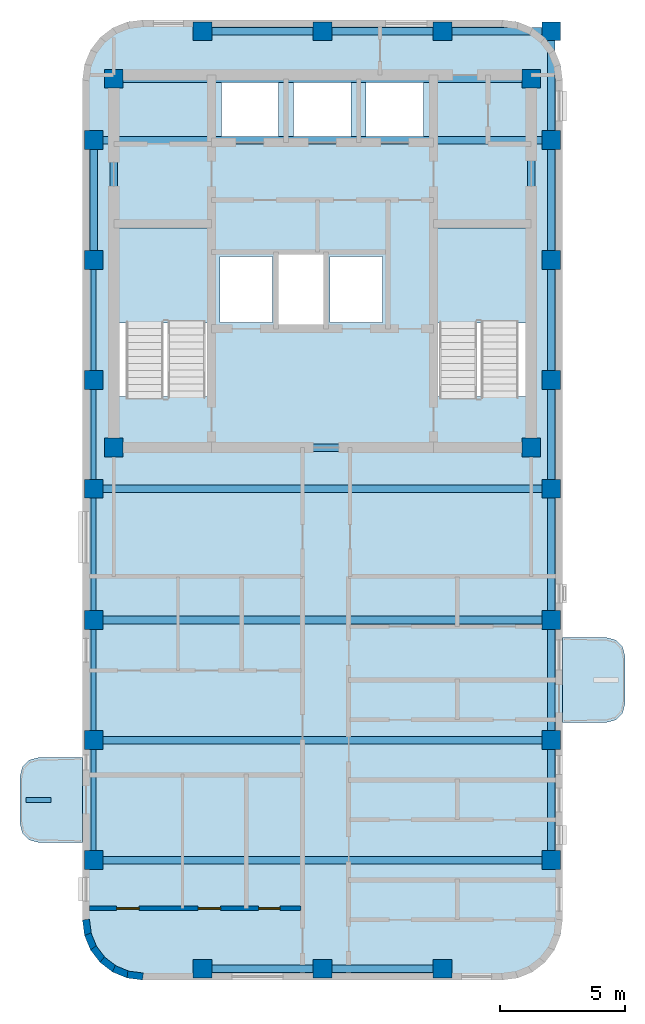
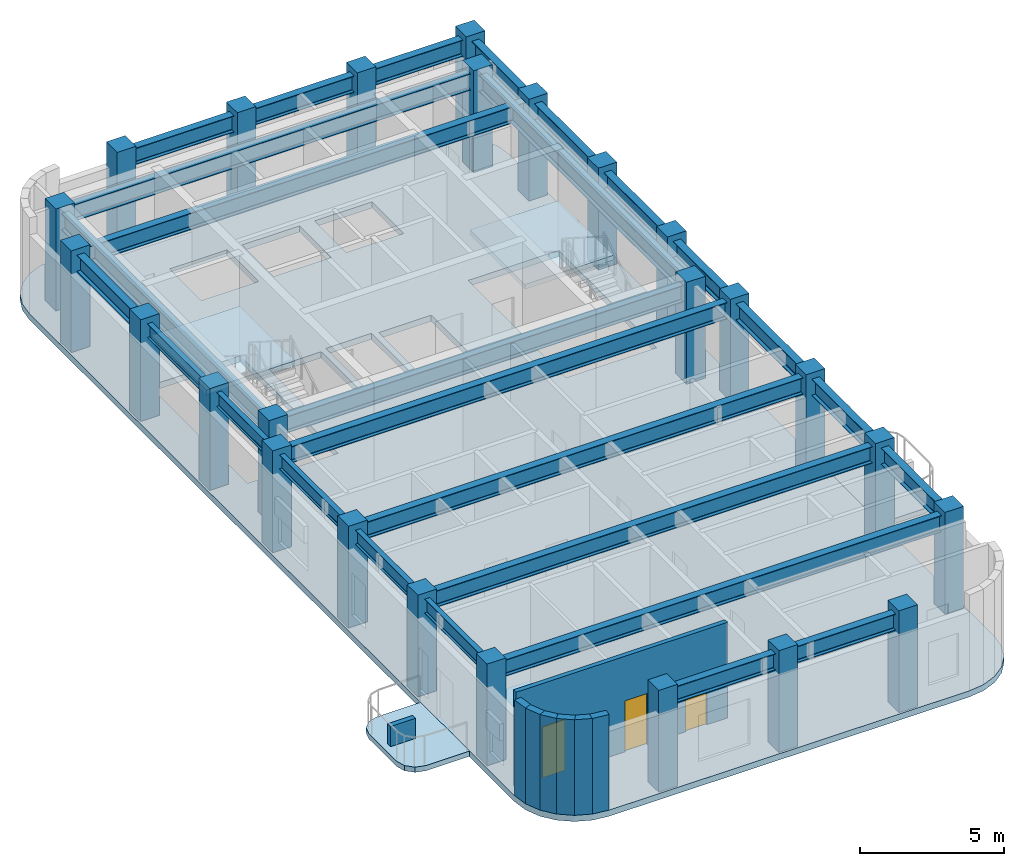
# One storey, part 1 of 7: 27 beams, 25 columns, 8 walls, 5 slabs, 3 doors, 3 openings, 2 elements without a shape of their own.
"""IFC4 building model written with IfcOpenShell, lengths in metres."""

from ifc_helpers import new_model, si_unit, direction, frame, frame_2d, origin, origin_2d, place, context, subcontext, project, spatial, polyline, rectangle, i_section, outline, extrude, material, layer, layer_set, material_profile, profile_set, type_object, element, fill, aggregate, save


model = new_model("IFC4")

# Units and contexts
model_context = context("Model", 3, precision=1e-05, world=origin(), true_north=direction((0.0, 1.0)))
body_context = subcontext(model_context, "Body", "Model", "MODEL_VIEW")
ifc_project = project(units=[si_unit("LENGTHUNIT", "METRE"), si_unit("AREAUNIT", "SQUARE_METRE"), si_unit("VOLUMEUNIT", "CUBIC_METRE"), si_unit("PLANEANGLEUNIT", "RADIAN"), si_unit("MASSUNIT", "GRAM", prefix="KILO")], contexts=[model_context])

# Site, building, storey
site_placement = place(None, origin())
site = spatial("IfcSite", under=ifc_project, at=site_placement, CompositionType="ELEMENT")
building_placement = place(site_placement, origin())
building = spatial("IfcBuilding", under=site, at=building_placement, Name="Orvandelia Arch Residences", CompositionType="ELEMENT")
storey_placement = place(building_placement, frame((0.0, 0.0, 257.0)))
storey = spatial("IfcBuildingStorey", under=building, at=storey_placement, Name="L67", CompositionType="ELEMENT", Elevation=257.0)

# Columns
ifc_material_1 = material(Name="Concrete C50/60", Category="concrete")
ifc_material_profile_1 = material_profile(ifc_material_1, rectangle(XDim=0.75, YDim=0.75, at=origin_2d()), Name="Concrete C50/60", Category="concrete")
ifc_profile_set_1 = profile_set([ifc_material_profile_1], Name="Concrete C50/60")
column_type = type_object("IfcColumnType", Name="COL-TWR-750", PredefinedType="COLUMN", material=ifc_profile_set_1)
for number, where, z_axis, x_axis, name in (
    (1, (5.25, 14.39990234375, 0.0), (0.0, 0.0, 1.0), (1.0, 0.0, 0.0), "Structural Column L67-W-W-144"),
    (2, (5.25, 19.199951171875, 0.0), (0.0, 0.0, 1.0), (1.0, 0.0, 0.0), "Structural Column L67-W-W-192"),
    (3, (5.25, 24.0, 0.0), (0.0, 0.0, 1.0), (1.0, 0.0, 0.0), "Structural Column L67-W-W-240"),
    (4, (5.25, 29.25, 0.0), (0.0, 0.0, 1.0), (1.0, 0.0, 0.0), "Structural Column L67-W-W-292"),
    (5, (5.25, 33.60009765625, 0.0), (0.0, 0.0, 1.0), (1.0, 0.0, 0.0), "Structural Column L67-W-W-336"),
    (6, (5.25, 38.39990234375, 0.0), (0.0, 0.0, 1.0), (1.0, 0.0, 0.0), "Structural Column L67-W-W-384"),
    (7, (5.25, 43.199951171875, 0.0), (0.0, 0.0, 1.0), (1.0, 0.0, 0.0), "Structural Column L67-W-W-432"),
    (8, (6.050048828125, 30.89990234375, 0.0), (0.0, 0.0, 1.0), (1.0, 0.0, 0.0), "Structural Column L67-CR-SW"),
    (9, (6.050048828125, 45.64990234375, 0.0), (0.0, 0.0, 1.0), (1.0, 0.0, 0.0), "Structural Column L67-CR-NW"),
    (10, (9.60009765625, 10.050048828125, 0.0), (0.0, 0.0, 1.0), (1.0, 0.0, 0.0), "Structural Column L67-W-S-96"),
    (11, (9.60009765625, 47.550048828125, 0.0), (0.0, 0.0, 1.0), (1.0, 0.0, 0.0), "Structural Column L67-W-N-96"),
    (12, (14.39990234375, 10.050048828125, 0.0), (0.0, 0.0, 1.0), (1.0, 0.0, 0.0), "Structural Column L67-W-S-144"),
    (13, (14.39990234375, 47.550048828125, 0.0), (0.0, 0.0, 1.0), (1.0, 0.0, 0.0), "Structural Column L67-W-N-144"),
    (14, (19.199951171875, 10.050048828125, 0.0), (0.0, 0.0, 1.0), (1.0, 0.0, 0.0), "Structural Column L67-W-S-192"),
    (15, (19.199951171875, 47.550048828125, 0.0), (0.0, 0.0, 1.0), (1.0, 0.0, 0.0), "Structural Column L67-W-N-192"),
    (16, (22.75, 30.89990234375, 0.0), (0.0, 0.0, 1.0), (1.0, 0.0, 0.0), "Structural Column L67-CR-SE"),
    (17, (22.75, 45.64990234375, 0.0), (0.0, 0.0, 1.0), (1.0, 0.0, 0.0), "Structural Column L67-CR-NE"),
    (18, (23.550048828125, 14.39990234375, 0.0), (0.0, 0.0, 1.0), (1.0, 0.0, 0.0), "Structural Column L67-W-E-144"),
    (19, (23.550048828125, 19.199951171875, 0.0), (0.0, 0.0, 1.0), (1.0, 0.0, 0.0), "Structural Column L67-W-E-192"),
    (20, (23.550048828125, 24.0, 0.0), (0.0, 0.0, 1.0), (1.0, 0.0, 0.0), "Structural Column L67-W-E-240"),
    (21, (23.550048828125, 29.25, 0.0), (0.0, 0.0, 1.0), (1.0, 0.0, 0.0), "Structural Column L67-W-E-292"),
    (22, (23.550048828125, 33.60009765625, 0.0), (0.0, 0.0, 1.0), (1.0, 0.0, 0.0), "Structural Column L67-W-E-336"),
    (23, (23.550048828125, 38.39990234375, 0.0), (0.0, 0.0, 1.0), (1.0, 0.0, 0.0), "Structural Column L67-W-E-384"),
    (24, (23.550048828125, 43.199951171875, 0.0), (0.0, 0.0, 1.0), (1.0, 0.0, 0.0), "Structural Column L67-W-E-432"),
    (25, (23.550048828125, 47.550048828125, 0.0), (0.0, 0.0, 1.0), (1.0, 0.0, 0.0), "Structural Column L67-W-N-235"),
):
    element("IfcColumn", number, at=place(storey_placement, frame(where, z_axis=z_axis, x_axis=x_axis)), inside=storey, type_object=column_type, Name=name, PredefinedType="COLUMN", context=body_context, shape_type="SweptSolid", body=[
        extrude(rectangle(XDim=0.75, YDim=0.75, at=origin_2d()), origin(), (0.0, 0.0, 1.0), 4.300048828125),
    ])

# Beams
ifc_material_2 = material(Name="Structural Steel SM355 (355 MPa)", Category="steel")
ifc_material_profile_2 = material_profile(ifc_material_2, i_section(OverallWidth=0.300048828125, OverallDepth=0.699951171875, WebThickness=0.012939453125, FlangeThickness=0.02392578125, FilletRadius=0.02392578125, at=origin_2d()), Name="Structural Steel SM355 (355 MPa)", Category="steel")
ifc_profile_set_2 = profile_set([ifc_material_profile_2], Name="Structural Steel SM355 (355 MPa)")
beam_type_1 = type_object("IfcBeamType", Name="BM-GRD-H700", PredefinedType="BEAM", material=ifc_profile_set_2)
beam_1_placement = place(storey_placement, frame((5.25, 38.39990234375, 3.68994140625), z_axis=(0.0, 1.0, 0.0), x_axis=(-1.0, 0.0, 0.0)))
element("IfcBeam", 26, at=beam_1_placement, inside=storey, type_object=beam_type_1, Name="Structural Frame Beam L67-NS-006", PredefinedType="BEAM", context=body_context, shape_type="SweptSolid", body=[
    extrude(i_section(OverallWidth=0.300048828125, OverallDepth=0.699951171875, WebThickness=0.012939453125, FlangeThickness=0.02392578125, FilletRadius=0.02392578125, at=origin_2d()), origin(), (0.0, 0.0, 1.0), 4.800048828125),
])
for number, where, z_axis, x_axis, name in (
    (27, (6.050048828125, 30.89990234375, 3.68994140625), (0.0, 1.0, 0.0), (-1.0, 0.0, 0.0), "Structural Frame Beam L67-NS-007"),
    (28, (22.75, 30.89990234375, 3.68994140625), (0.0, 1.0, 0.0), (-1.0, 0.0, 0.0), "Structural Frame Beam L67-NS-008"),
):
    element("IfcBeam", number, at=place(storey_placement, frame(where, z_axis=z_axis, x_axis=x_axis)), inside=storey, type_object=beam_type_1, Name=name, PredefinedType="BEAM", context=body_context, shape_type="SweptSolid", body=[
        extrude(i_section(OverallWidth=0.300048828125, OverallDepth=0.699951171875, WebThickness=0.012939453125, FlangeThickness=0.02392578125, FilletRadius=0.02392578125, at=origin_2d()), origin(), (0.0, 0.0, 1.0), 14.75),
    ])
for number, where, z_axis, x_axis, name in (
    (29, (23.550048828125, 14.39990234375, 3.68994140625), (0.0, 1.0, 0.0), (-1.0, 0.0, 0.0), "Structural Frame Beam L67-NS-009"),
    (30, (23.550048828125, 19.199951171875, 3.68994140625), (0.0, 1.0, 0.0), (-1.0, 0.0, 0.0), "Structural Frame Beam L67-NS-010"),
):
    element("IfcBeam", number, at=place(storey_placement, frame(where, z_axis=z_axis, x_axis=x_axis)), inside=storey, type_object=beam_type_1, Name=name, PredefinedType="BEAM", context=body_context, shape_type="SweptSolid", body=[
        extrude(i_section(OverallWidth=0.300048828125, OverallDepth=0.699951171875, WebThickness=0.012939453125, FlangeThickness=0.02392578125, FilletRadius=0.02392578125, at=origin_2d()), origin(), (0.0, 0.0, 1.0), 4.800048828125),
    ])
beam_2_placement = place(storey_placement, frame((23.550048828125, 24.0, 3.68994140625), z_axis=(0.0, 1.0, 0.0), x_axis=(-1.0, 0.0, 0.0)))
element("IfcBeam", 31, at=beam_2_placement, inside=storey, type_object=beam_type_1, Name="Structural Frame Beam L67-NS-011", PredefinedType="BEAM", context=body_context, shape_type="SweptSolid", body=[
    extrude(i_section(OverallWidth=0.300048828125, OverallDepth=0.699951171875, WebThickness=0.012939453125, FlangeThickness=0.02392578125, FilletRadius=0.02392578125, at=origin_2d()), origin(), (0.0, 0.0, 1.0), 5.25),
])
beam_3_placement = place(storey_placement, frame((23.550048828125, 29.25, 3.68994140625), z_axis=(0.0, 1.0, 0.0), x_axis=(-1.0, 0.0, 0.0)))
element("IfcBeam", 32, at=beam_3_placement, inside=storey, type_object=beam_type_1, Name="Structural Frame Beam L67-NS-012", PredefinedType="BEAM", context=body_context, shape_type="SweptSolid", body=[
    extrude(i_section(OverallWidth=0.300048828125, OverallDepth=0.699951171875, WebThickness=0.012939453125, FlangeThickness=0.02392578125, FilletRadius=0.02392578125, at=origin_2d()), origin(), (0.0, 0.0, 1.0), 4.35009765625),
])
beam_4_placement = place(storey_placement, frame((23.550048828125, 33.60009765625, 3.68994140625), z_axis=(0.0, 1.0, 0.0), x_axis=(-1.0, 0.0, 0.0)))
element("IfcBeam", 33, at=beam_4_placement, inside=storey, type_object=beam_type_1, Name="Structural Frame Beam L67-NS-013", PredefinedType="BEAM", context=body_context, shape_type="SweptSolid", body=[
    extrude(i_section(OverallWidth=0.300048828125, OverallDepth=0.699951171875, WebThickness=0.012939453125, FlangeThickness=0.02392578125, FilletRadius=0.02392578125, at=origin_2d()), origin(), (0.0, 0.0, 1.0), 4.7998046875),
])
beam_5_placement = place(storey_placement, frame((23.550048828125, 38.39990234375, 3.68994140625), z_axis=(0.0, 1.0, 0.0), x_axis=(-1.0, 0.0, 0.0)))
element("IfcBeam", 34, at=beam_5_placement, inside=storey, type_object=beam_type_1, Name="Structural Frame Beam L67-NS-014", PredefinedType="BEAM", context=body_context, shape_type="SweptSolid", body=[
    extrude(i_section(OverallWidth=0.300048828125, OverallDepth=0.699951171875, WebThickness=0.012939453125, FlangeThickness=0.02392578125, FilletRadius=0.02392578125, at=origin_2d()), origin(), (0.0, 0.0, 1.0), 4.800048828125),
])
beam_6_placement = place(storey_placement, frame((23.550048828125, 43.199951171875, 3.68994140625), z_axis=(0.0, 1.0, 0.0), x_axis=(-1.0, 0.0, 0.0)))
element("IfcBeam", 35, at=beam_6_placement, inside=storey, type_object=beam_type_1, Name="Structural Frame Beam L67-NS-015", PredefinedType="BEAM", context=body_context, shape_type="SweptSolid", body=[
    extrude(i_section(OverallWidth=0.300048828125, OverallDepth=0.699951171875, WebThickness=0.012939453125, FlangeThickness=0.02392578125, FilletRadius=0.02392578125, at=origin_2d()), origin(), (0.0, 0.0, 1.0), 4.35009765625),
])
beam_7_placement = place(storey_placement, frame((9.60009765625, 10.050048828125, 3.68994140625), z_axis=(1.0, 0.0, 0.0), x_axis=(0.0, 1.0, 0.0)))
element("IfcBeam", 36, at=beam_7_placement, inside=storey, type_object=beam_type_1, Name="Structural Frame Girder L67-EW-016", PredefinedType="BEAM", context=body_context, shape_type="SweptSolid", body=[
    extrude(i_section(OverallWidth=0.300048828125, OverallDepth=0.699951171875, WebThickness=0.012939453125, FlangeThickness=0.02392578125, FilletRadius=0.02392578125, at=origin_2d()), origin(), (0.0, 0.0, 1.0), 4.7998046875),
])
beam_8_placement = place(storey_placement, frame((14.39990234375, 10.050048828125, 3.68994140625), z_axis=(1.0, 0.0, 0.0), x_axis=(0.0, 1.0, 0.0)))
element("IfcBeam", 37, at=beam_8_placement, inside=storey, type_object=beam_type_1, Name="Structural Frame Girder L67-EW-017", PredefinedType="BEAM", context=body_context, shape_type="SweptSolid", body=[
    extrude(i_section(OverallWidth=0.300048828125, OverallDepth=0.699951171875, WebThickness=0.012939453125, FlangeThickness=0.02392578125, FilletRadius=0.02392578125, at=origin_2d()), origin(), (0.0, 0.0, 1.0), 4.800048828125),
])
for number, where, z_axis, x_axis, name in (
    (38, (5.25, 14.39990234375, 3.68994140625), (1.0, 0.0, 0.0), (0.0, 1.0, 0.0), "Structural Frame Girder L67-EW-018"),
    (39, (5.25, 19.199951171875, 3.68994140625), (1.0, 0.0, 0.0), (0.0, 1.0, 0.0), "Structural Frame Girder L67-EW-019"),
    (40, (5.25, 24.0, 3.68994140625), (1.0, 0.0, 0.0), (0.0, 1.0, 0.0), "Structural Frame Girder L67-EW-020"),
    (41, (5.25, 29.25, 3.68994140625), (1.0, 0.0, 0.0), (0.0, 1.0, 0.0), "Structural Frame Girder L67-EW-021"),
):
    element("IfcBeam", number, at=place(storey_placement, frame(where, z_axis=z_axis, x_axis=x_axis)), inside=storey, type_object=beam_type_1, Name=name, PredefinedType="BEAM", context=body_context, shape_type="SweptSolid", body=[
        extrude(i_section(OverallWidth=0.300048828125, OverallDepth=0.699951171875, WebThickness=0.012939453125, FlangeThickness=0.02392578125, FilletRadius=0.02392578125, at=origin_2d()), origin(), (0.0, 0.0, 1.0), 18.300048828125),
    ])
beam_9_placement = place(storey_placement, frame((6.050048828125, 30.89990234375, 3.68994140625), z_axis=(1.0, 0.0, 0.0), x_axis=(0.0, 1.0, 0.0)))
element("IfcBeam", 42, at=beam_9_placement, inside=storey, type_object=beam_type_1, Name="Structural Frame Girder L67-EW-022", PredefinedType="BEAM", context=body_context, shape_type="SweptSolid", body=[
    extrude(i_section(OverallWidth=0.300048828125, OverallDepth=0.699951171875, WebThickness=0.012939453125, FlangeThickness=0.02392578125, FilletRadius=0.02392578125, at=origin_2d()), origin(), (0.0, 0.0, 1.0), 16.699951171875),
])
beam_10_placement = place(storey_placement, frame((5.25, 43.199951171875, 3.68994140625), z_axis=(1.0, 0.0, 0.0), x_axis=(0.0, 1.0, 0.0)))
element("IfcBeam", 43, at=beam_10_placement, inside=storey, type_object=beam_type_1, Name="Structural Frame Girder L67-EW-025", PredefinedType="BEAM", context=body_context, shape_type="SweptSolid", body=[
    extrude(i_section(OverallWidth=0.300048828125, OverallDepth=0.699951171875, WebThickness=0.012939453125, FlangeThickness=0.02392578125, FilletRadius=0.02392578125, at=origin_2d()), origin(), (0.0, 0.0, 1.0), 18.300048828125),
])
beam_11_placement = place(storey_placement, frame((6.050048828125, 45.64990234375, 3.68994140625), z_axis=(1.0, 0.0, 0.0), x_axis=(0.0, 1.0, 0.0)))
element("IfcBeam", 44, at=beam_11_placement, inside=storey, type_object=beam_type_1, Name="Structural Frame Girder L67-EW-026", PredefinedType="BEAM", context=body_context, shape_type="SweptSolid", body=[
    extrude(i_section(OverallWidth=0.300048828125, OverallDepth=0.699951171875, WebThickness=0.012939453125, FlangeThickness=0.02392578125, FilletRadius=0.02392578125, at=origin_2d()), origin(), (0.0, 0.0, 1.0), 16.699951171875),
])
beam_12_placement = place(storey_placement, frame((9.60009765625, 47.550048828125, 3.68994140625), z_axis=(1.0, 0.0, 0.0), x_axis=(0.0, 1.0, 0.0)))
element("IfcBeam", 45, at=beam_12_placement, inside=storey, type_object=beam_type_1, Name="Structural Frame Girder L67-EW-027", PredefinedType="BEAM", context=body_context, shape_type="SweptSolid", body=[
    extrude(i_section(OverallWidth=0.300048828125, OverallDepth=0.699951171875, WebThickness=0.012939453125, FlangeThickness=0.02392578125, FilletRadius=0.02392578125, at=origin_2d()), origin(), (0.0, 0.0, 1.0), 4.7998046875),
])
beam_13_placement = place(storey_placement, frame((14.39990234375, 47.550048828125, 3.68994140625), z_axis=(1.0, 0.0, 0.0), x_axis=(0.0, 1.0, 0.0)))
element("IfcBeam", 46, at=beam_13_placement, inside=storey, type_object=beam_type_1, Name="Structural Frame Girder L67-EW-028", PredefinedType="BEAM", context=body_context, shape_type="SweptSolid", body=[
    extrude(i_section(OverallWidth=0.300048828125, OverallDepth=0.699951171875, WebThickness=0.012939453125, FlangeThickness=0.02392578125, FilletRadius=0.02392578125, at=origin_2d()), origin(), (0.0, 0.0, 1.0), 4.800048828125),
])
beam_14_placement = place(storey_placement, frame((19.199951171875, 47.550048828125, 3.68994140625), z_axis=(1.0, 0.0, 0.0), x_axis=(0.0, 1.0, 0.0)))
element("IfcBeam", 47, at=beam_14_placement, inside=storey, type_object=beam_type_1, Name="Structural Frame Girder L67-EW-029", PredefinedType="BEAM", context=body_context, shape_type="SweptSolid", body=[
    extrude(i_section(OverallWidth=0.300048828125, OverallDepth=0.699951171875, WebThickness=0.012939453125, FlangeThickness=0.02392578125, FilletRadius=0.02392578125, at=origin_2d()), origin(), (0.0, 0.0, 1.0), 4.35009765625),
])
ifc_material_profile_3 = material_profile(ifc_material_2, i_section(OverallWidth=0.199951171875, OverallDepth=0.60009765625, WebThickness=0.010986328125, FlangeThickness=0.01708984375, FilletRadius=0.02197265625, at=origin_2d()), Name="Structural Steel SM355 (355 MPa)", Category="steel")
ifc_profile_set_3 = profile_set([ifc_material_profile_3], Name="Structural Steel SM355 (355 MPa)")
beam_type_2 = type_object("IfcBeamType", Name="BM-SPN-H600", PredefinedType="SPANDREL", material=ifc_profile_set_3)
for number, where, z_axis, x_axis, name in (
    (48, (5.25, 14.39990234375, 3.739990234375), (0.0, 1.0, 0.0), (-1.0, 0.0, 0.0), "Structural Frame Beam L67-NS-001"),
    (49, (5.25, 19.199951171875, 3.739990234375), (0.0, 1.0, 0.0), (-1.0, 0.0, 0.0), "Structural Frame Beam L67-NS-002"),
):
    element("IfcBeam", number, at=place(storey_placement, frame(where, z_axis=z_axis, x_axis=x_axis)), inside=storey, type_object=beam_type_2, Name=name, PredefinedType="SPANDREL", context=body_context, shape_type="SweptSolid", body=[
        extrude(i_section(OverallWidth=0.199951171875, OverallDepth=0.60009765625, WebThickness=0.010986328125, FlangeThickness=0.01708984375, FilletRadius=0.02197265625, at=origin_2d()), origin(), (0.0, 0.0, 1.0), 4.800048828125),
    ])
beam_15_placement = place(storey_placement, frame((5.25, 24.0, 3.739990234375), z_axis=(0.0, 1.0, 0.0), x_axis=(-1.0, 0.0, 0.0)))
element("IfcBeam", 50, at=beam_15_placement, inside=storey, type_object=beam_type_2, Name="Structural Frame Beam L67-NS-003", PredefinedType="SPANDREL", context=body_context, shape_type="SweptSolid", body=[
    extrude(i_section(OverallWidth=0.199951171875, OverallDepth=0.60009765625, WebThickness=0.010986328125, FlangeThickness=0.01708984375, FilletRadius=0.02197265625, at=origin_2d()), origin(), (0.0, 0.0, 1.0), 5.25),
])
beam_16_placement = place(storey_placement, frame((5.25, 29.25, 3.739990234375), z_axis=(0.0, 1.0, 0.0), x_axis=(-1.0, 0.0, 0.0)))
element("IfcBeam", 51, at=beam_16_placement, inside=storey, type_object=beam_type_2, Name="Structural Frame Beam L67-NS-004", PredefinedType="SPANDREL", context=body_context, shape_type="SweptSolid", body=[
    extrude(i_section(OverallWidth=0.199951171875, OverallDepth=0.60009765625, WebThickness=0.010986328125, FlangeThickness=0.01708984375, FilletRadius=0.02197265625, at=origin_2d()), origin(), (0.0, 0.0, 1.0), 4.35009765625),
])
beam_17_placement = place(storey_placement, frame((5.25, 33.60009765625, 3.739990234375), z_axis=(0.0, 1.0, 0.0), x_axis=(-1.0, 0.0, 0.0)))
element("IfcBeam", 52, at=beam_17_placement, inside=storey, type_object=beam_type_2, Name="Structural Frame Beam L67-NS-005", PredefinedType="SPANDREL", context=body_context, shape_type="SweptSolid", body=[
    extrude(i_section(OverallWidth=0.199951171875, OverallDepth=0.60009765625, WebThickness=0.010986328125, FlangeThickness=0.01708984375, FilletRadius=0.02197265625, at=origin_2d()), origin(), (0.0, 0.0, 1.0), 4.7998046875),
])

# Slabs
ifc_material_3 = material(Name="Precast concrete C40/50", Category="concrete")
ifc_layer_1 = layer(ifc_material_3, 0.219970703125, Name="Precast concrete C40/50", Category="concrete")
ifc_layer_set_1 = layer_set([ifc_layer_1], Name="Precast concrete C40/50")
slab_type_1 = type_object("IfcSlabType", Name="SLB-BAL-220", PredefinedType="USERDEFINED", material=ifc_layer_set_1)
slab_1_placement = place(storey_placement, frame((0.0, 0.0, -0.219970703125)))
element("IfcSlab", 53, at=slab_1_placement, inside=storey, type_object=slab_type_1, Name="Tree Balcony Cantilever Slab BAL-L67-W1", ObjectType="BALCONY", PredefinedType="USERDEFINED", context=body_context, shape_type="SweptSolid", body=[
    extrude(outline(polyline([(4.800048828125, 15.10009765625), (4.800048828125, 18.5), (3.050048828125, 18.5), (2.675048828125, 18.3994140625), (2.400390625, 18.125), (2.300048828125, 17.75), (2.300048828125, 15.85009765625), (2.400390625, 15.47509765625), (2.675048828125, 15.200439453125), (3.050048828125, 15.10009765625), (4.800048828125, 15.10009765625)])), origin(), (0.0, 0.0, 1.0), 0.219970703125),
])
slab_2_placement = place(storey_placement, frame((0.0, 0.0, -0.219970703125)))
element("IfcSlab", 54, at=slab_2_placement, inside=storey, type_object=slab_type_1, Name="Tree Balcony Cantilever Slab BAL-L67-W2", ObjectType="BALCONY", PredefinedType="USERDEFINED", context=body_context, shape_type="SweptSolid", body=[
    extrude(outline(polyline([(24.0, 23.300048828125), (24.0, 19.89990234375), (25.75, 19.89990234375), (26.125, 20.00048828125), (26.3994140625, 20.27490234375), (26.5, 20.64990234375), (26.5, 22.550048828125), (26.3994140625, 22.925048828125), (26.125, 23.199462890625), (25.75, 23.300048828125), (24.0, 23.300048828125)])), origin(), (0.0, 0.0, 1.0), 0.219970703125),
])

# Stair, slab
ifc_material_4 = material(Name="Concrete C40/50", Category="concrete")
stair_type = type_object("IfcStairType", Name="STAIR-RC-DOGLEG", PredefinedType="HALF_TURN_STAIR", material=ifc_material_4)
stair_1_placement = place(storey_placement, origin())
stair_1 = element("IfcStair", 55, at=stair_1_placement, inside=storey, type_object=stair_type, Name="L67 Protected Exit Stair ST-1", PredefinedType="HALF_TURN_STAIR")
ifc_layer_2 = layer(ifc_material_4, 0.219970703125, Name="Concrete C40/50", Category="concrete")
ifc_layer_set_2 = layer_set([ifc_layer_2], Name="Concrete C40/50")
slab_type_2 = type_object("IfcSlabType", Name="SLB-LANDING-220", PredefinedType="LANDING", material=ifc_layer_set_2)
slab_3_placement = place(storey_placement, frame((0.0, 0.0, 1.949951171875)))
slab_3 = element("IfcSlab", 56, at=slab_3_placement, type_object=slab_type_2, Name="ST-1 landing 1", PredefinedType="LANDING", context=body_context, shape_type="SweptSolid", body=[
    extrude(outline(polyline([(9.800048828125, 35.8701171875), (9.800048828125, 39.68994140625), (6.260009765625, 39.68994140625), (6.260009765625, 35.8701171875), (9.800048828125, 35.8701171875)])), origin(), (0.0, 0.0, 1.0), 0.199951171875),
])
aggregate(stair_1, [slab_3])

stair_2_placement = place(storey_placement, origin())
stair_2 = element("IfcStair", 57, at=stair_2_placement, inside=storey, type_object=stair_type, Name="L67 Protected Exit Stair ST-2", PredefinedType="HALF_TURN_STAIR")
slab_4_placement = place(storey_placement, frame((0.0, 0.0, 1.949951171875)))
slab_4 = element("IfcSlab", 58, at=slab_4_placement, type_object=slab_type_2, Name="ST-2 landing 1", PredefinedType="LANDING", context=body_context, shape_type="SweptSolid", body=[
    extrude(outline(polyline([(22.5400390625, 35.8701171875), (22.5400390625, 39.68994140625), (19.0, 39.68994140625), (19.0, 35.8701171875), (22.5400390625, 35.8701171875)])), origin(), (0.0, 0.0, 1.0), 0.199951171875),
])
aggregate(stair_2, [slab_4])

# Slab
ifc_layer_3 = layer(ifc_material_4, 0.260009765625, Name="Concrete C40/50", Category="concrete")
ifc_layer_set_3 = layer_set([ifc_layer_3], Name="Concrete C40/50")
slab_type_3 = type_object("IfcSlabType", Name="SLB-TWR-260", PredefinedType="FLOOR", material=ifc_layer_set_3)
slab_5_placement = place(storey_placement, frame((0.0, 0.0, -0.260009765625)))
element("IfcSlab", 59, at=slab_5_placement, inside=storey, type_object=slab_type_3, Name="Structural Floor Slab L67-1", PredefinedType="FLOOR", context=body_context, shape_type="SweptSolid", body=[
    extrude(outline(polyline([(4.800048828125, 12.0), (4.8818359375, 11.37890625), (5.12158203125, 10.800048828125), (5.5029296875, 10.302978515625), (6.0, 9.92138671875), (6.578857421875, 9.681884765625), (7.199951171875, 9.60009765625), (21.60009765625, 9.60009765625), (22.22119140625, 9.681884765625), (22.800048828125, 9.92138671875), (23.297119140625, 10.302978515625), (23.678466796875, 10.800048828125), (23.918212890625, 11.37890625), (24.0, 12.0), (24.0, 45.60009765625), (23.918212890625, 46.22119140625), (23.678466796875, 46.800048828125), (23.297119140625, 47.297119140625), (22.800048828125, 47.678466796875), (22.22119140625, 47.918212890625), (21.60009765625, 48.0), (7.199951171875, 48.0), (6.578857421875, 47.918212890625), (6.0, 47.678466796875), (5.5029296875, 47.297119140625), (5.12158203125, 46.800048828125), (4.8818359375, 46.22119140625), (4.800048828125, 45.60009765625), (4.800048828125, 12.0)]), holes=[polyline([(6.219970703125, 32.949951171875), (9.840087890625, 32.949951171875), (9.840087890625, 39.72998046875), (6.219970703125, 39.72998046875), (6.219970703125, 32.949951171875)]), polyline([(18.9599609375, 32.949951171875), (22.580078125, 32.949951171875), (22.580078125, 39.72998046875), (18.9599609375, 39.72998046875), (18.9599609375, 32.949951171875)]), polyline([(12.639892578125, 35.81005859375), (14.4599609375, 35.81005859375), (14.4599609375, 38.639892578125), (12.639892578125, 38.639892578125), (12.639892578125, 35.81005859375)]), polyline([(10.300048828125, 35.89990234375), (12.39990234375, 35.89990234375), (12.39990234375, 38.550048828125), (10.300048828125, 38.550048828125), (10.300048828125, 35.89990234375)]), polyline([(14.699951171875, 35.89990234375), (16.800048828125, 35.89990234375), (16.800048828125, 38.550048828125), (14.699951171875, 38.550048828125), (14.699951171875, 35.89990234375)]), polyline([(10.35009765625, 43.300048828125), (12.64990234375, 43.300048828125), (12.64990234375, 45.5), (10.35009765625, 45.5), (10.35009765625, 43.300048828125)]), polyline([(13.25, 43.300048828125), (15.550048828125, 43.300048828125), (15.550048828125, 45.5), (13.25, 45.5), (13.25, 43.300048828125)]), polyline([(16.14990234375, 43.300048828125), (18.449951171875, 43.300048828125), (18.449951171875, 45.5), (16.14990234375, 45.5), (16.14990234375, 43.300048828125)])]), origin(), (0.0, 0.0, 1.0), 0.260009765625),
])

# Walls
ifc_layer_4 = layer(ifc_material_3, 0.280029296875, Name="Precast concrete C40/50", Category="concrete")
ifc_layer_set_4 = layer_set([ifc_layer_4], Name="Precast concrete C40/50")
wall_type_1 = type_object("IfcWallType", Name="WL-EXT-STONE-280", PredefinedType="STANDARD", material=ifc_layer_set_4)
wall_1_placement = place(storey_placement, frame((7.21826171875, 9.73876953125, 0.0), z_axis=(0.0, 0.0, 1.0), x_axis=(-0.9914410257, 0.130555323746, 0.0)))
element("IfcWall", 60, at=wall_1_placement, inside=storey, type_object=wall_type_1, Name="Coral-Limestone Precast Facade Wall L67-022", PredefinedType="STANDARD", context=body_context, shape_type="SweptSolid", body=[
    extrude(rectangle(XDim=0.62646484375, YDim=0.280029296875, at=frame_2d((0.313232421875, 0.0))), origin(), (0.0, 0.0, 1.0), 4.0400390625),
])
wall_2_placement = place(storey_placement, frame((6.63232421875, 9.81103515625, 0.0), z_axis=(0.0, 0.0, 1.0), x_axis=(-0.923836271867, 0.382787856107, 0.0)))
element("IfcWall", 61, at=wall_2_placement, inside=storey, type_object=wall_type_1, Name="Coral-Limestone Precast Facade Wall L67-023", PredefinedType="STANDARD", context=body_context, shape_type="SweptSolid", body=[
    extrude(rectangle(XDim=0.626220703125, YDim=0.280029296875, at=frame_2d((0.31298828125, 0.0))), origin(), (0.0, 0.0, 1.0), 4.0400390625),
])
for number, where, z_axis, x_axis, name in (
    (62, (6.085205078125, 10.03271484375, 0.0), (0.0, 0.0, 1.0), (-0.793405610854, 0.608693302629, 0.0), "Coral-Limestone Precast Facade Wall L67-024"),
    (63, (5.614013671875, 10.38818359375, 0.0), (0.0, 0.0, 1.0), (-0.608693302629, 0.793405610854, 0.0), "Coral-Limestone Precast Facade Wall L67-025"),
    (64, (5.250732421875, 10.853515625, 0.0), (0.0, 0.0, 1.0), (-0.382650053678, 0.92389335771, 0.0), "Coral-Limestone Precast Facade Wall L67-026"),
    (65, (5.0205078125, 11.397216796875, 0.0), (0.0, 0.0, 1.0), (-0.130555323746, 0.9914410257, 0.0), "Coral-Limestone Precast Facade Wall L67-027"),
):
    element("IfcWall", number, at=place(storey_placement, frame(where, z_axis=z_axis, x_axis=x_axis)), inside=storey, type_object=wall_type_1, Name=name, PredefinedType="STANDARD", context=body_context, shape_type="SweptSolid", body=[
        extrude(rectangle(XDim=0.62646484375, YDim=0.280029296875, at=frame_2d((0.313232421875, 0.0))), origin(), (0.0, 0.0, 1.0), 4.0400390625),
    ])
ifc_layer_5 = layer(ifc_material_3, 0.199951171875, Name="Precast concrete C40/50", Category="concrete")
ifc_layer_set_5 = layer_set([ifc_layer_5], Name="Precast concrete C40/50")
wall_type_2 = type_object("IfcWallType", Name="WL-PLANTER-200", PredefinedType="MOVABLE", material=ifc_layer_set_5)
wall_3_placement = place(storey_placement, frame((2.550048828125, 16.800048828125, 0.0), z_axis=(0.0, 0.0, 1.0), x_axis=(1.0, 0.0, 0.0)))
element("IfcWall", 66, at=wall_3_placement, inside=storey, type_object=wall_type_2, Name="Balcony Precast Tree Planter BAL-L67-W1", PredefinedType="MOVABLE", context=body_context, shape_type="SweptSolid", body=[
    extrude(rectangle(XDim=1.0, YDim=0.199951171875, at=frame_2d((0.5, 0.0))), origin(), (0.0, 0.0, 1.0), 0.85009765625),
])

# Wall, openings, doors
ifc_material_5 = material(Name="Moisture-Resistant Plumbing Wall")
ifc_layer_6 = layer(ifc_material_5, 0.179931640625, Name="Moisture-Resistant Plumbing Wall")
ifc_layer_set_6 = layer_set([ifc_layer_6], Name="Moisture-Resistant Plumbing Wall")
wall_type_3 = type_object("IfcWallType", Name="WL-WET-180", PredefinedType="PLUMBINGWALL", material=ifc_layer_set_6)
wall_4_placement = place(storey_placement, frame((5.080078125, 12.4619140625, 0.0), z_axis=(0.0, 0.0, 1.0), x_axis=(1.0, 0.0, 0.0)))
wall_4 = element("IfcWall", 67, at=wall_4_placement, inside=storey, type_object=wall_type_3, Name="Interior Partition Wall WL-L67-U01-HZ", PredefinedType="PLUMBINGWALL", context=body_context, shape_type="SweptSolid", body=[
    extrude(rectangle(XDim=8.4599609375, YDim=0.179931640625, at=frame_2d((4.22998046875, 0.0))), origin(), (0.0, 0.0, 1.0), 4.0400390625),
])
opening_1_placement = place(wall_4_placement, frame((1.08642578125, 0.0, 0.0)))
opening_1 = element("IfcOpeningElement", 68, at=opening_1_placement, cuts=wall_4, Name="Opening D3", PredefinedType="OPENING", context=body_context, shape_type="SweptSolid", body=[
    extrude(rectangle(XDim=0.89990234375, YDim=2.14990234375, at=frame_2d((0.449951171875, 1.074951171875))), frame((0.0, 0.10009765625, 0.0), z_axis=(0.0, -1.0, 0.0), x_axis=(1.0, 0.0, 0.0)), (0.0, 0.0, 1.0), 0.199951171875),
])
opening_2_placement = place(wall_4_placement, frame((4.347412109375, 0.0, 0.0)))
opening_2 = element("IfcOpeningElement", 69, at=opening_2_placement, cuts=wall_4, Name="Opening D3", PredefinedType="OPENING", context=body_context, shape_type="SweptSolid", body=[
    extrude(rectangle(XDim=0.89990234375, YDim=2.14990234375, at=frame_2d((0.449951171875, 1.074951171875))), frame((0.0, 0.10009765625, 0.0), z_axis=(0.0, -1.0, 0.0), x_axis=(1.0, 0.0, 0.0)), (0.0, 0.0, 1.0), 0.199951171875),
])
opening_3_placement = place(wall_4_placement, frame((6.76318359375, 0.0, 0.0)))
opening_3 = element("IfcOpeningElement", 70, at=opening_3_placement, cuts=wall_4, Name="Opening D4", PredefinedType="OPENING", context=body_context, shape_type="SweptSolid", body=[
    extrude(rectangle(XDim=0.860107421875, YDim=2.10009765625, at=frame_2d((0.43017578125, 1.050048828125))), frame((0.0, 0.10009765625, 0.0), z_axis=(0.0, -1.0, 0.0), x_axis=(1.0, 0.0, 0.0)), (0.0, 0.0, 1.0), 0.199951171875),
])
ifc_material_6 = material(Name="Engineered Timber Flush Door", Category="wood")
door_type_1 = type_object("IfcDoorType", Name="DR-INT-900", OperationType="NOTDEFINED", PredefinedType="DOOR", material=ifc_material_6)
door_1_placement = place(opening_1_placement, origin())
door_1 = element("IfcDoor", 71, at=door_1_placement, inside=storey, type_object=door_type_1, Name="DR-L67-U01-BD1", OperationType="SINGLE_SWING_LEFT", OverallHeight=2.14990234375, OverallWidth=0.89990234375, PredefinedType="DOOR", context=body_context, shape_type="SweptSolid", body=[
    extrude(rectangle(XDim=0.89990234375, YDim=2.14990234375, at=frame_2d((0.449951171875, 1.074951171875))), frame((0.0, 0.02490234375, 0.0), z_axis=(0.0, -1.0, 0.0), x_axis=(1.0, 0.0, 0.0)), (0.0, 0.0, 1.0), 0.050048828125),
])
fill(opening_1, door_1)
door_2_placement = place(opening_2_placement, origin())
door_2 = element("IfcDoor", 72, at=door_2_placement, inside=storey, type_object=door_type_1, Name="DR-L67-U01-KIT", OperationType="SINGLE_SWING_RIGHT", OverallHeight=2.14990234375, OverallWidth=0.89990234375, PredefinedType="DOOR", context=body_context, shape_type="SweptSolid", body=[
    extrude(rectangle(XDim=0.89990234375, YDim=2.14990234375, at=frame_2d((0.449951171875, 1.074951171875))), frame((0.0, 0.02490234375, 0.0), z_axis=(0.0, -1.0, 0.0), x_axis=(1.0, 0.0, 0.0)), (0.0, 0.0, 1.0), 0.050048828125),
])
fill(opening_2, door_2)
ifc_material_7 = material(Name="Moisture-Sealed Timber Bathroom Door", Category="wood")
door_type_2 = type_object("IfcDoorType", Name="DR-WET-900", OperationType="NOTDEFINED", PredefinedType="DOOR", material=ifc_material_7)
door_3_placement = place(opening_3_placement, origin())
door_3 = element("IfcDoor", 73, at=door_3_placement, inside=storey, type_object=door_type_2, Name="DR-L67-U01-BTH", OperationType="SINGLE_SWING_LEFT", OverallHeight=2.10009765625, OverallWidth=0.860107421875, PredefinedType="DOOR", context=body_context, shape_type="SweptSolid", body=[
    extrude(rectangle(XDim=0.860107421875, YDim=2.10009765625, at=frame_2d((0.43017578125, 1.050048828125))), frame((0.0, 0.02490234375, 0.0), z_axis=(0.0, -1.0, 0.0), x_axis=(1.0, 0.0, 0.0)), (0.0, 0.0, 1.0), 0.050048828125),
])
fill(opening_3, door_3)

save(model, "model.ifc")
